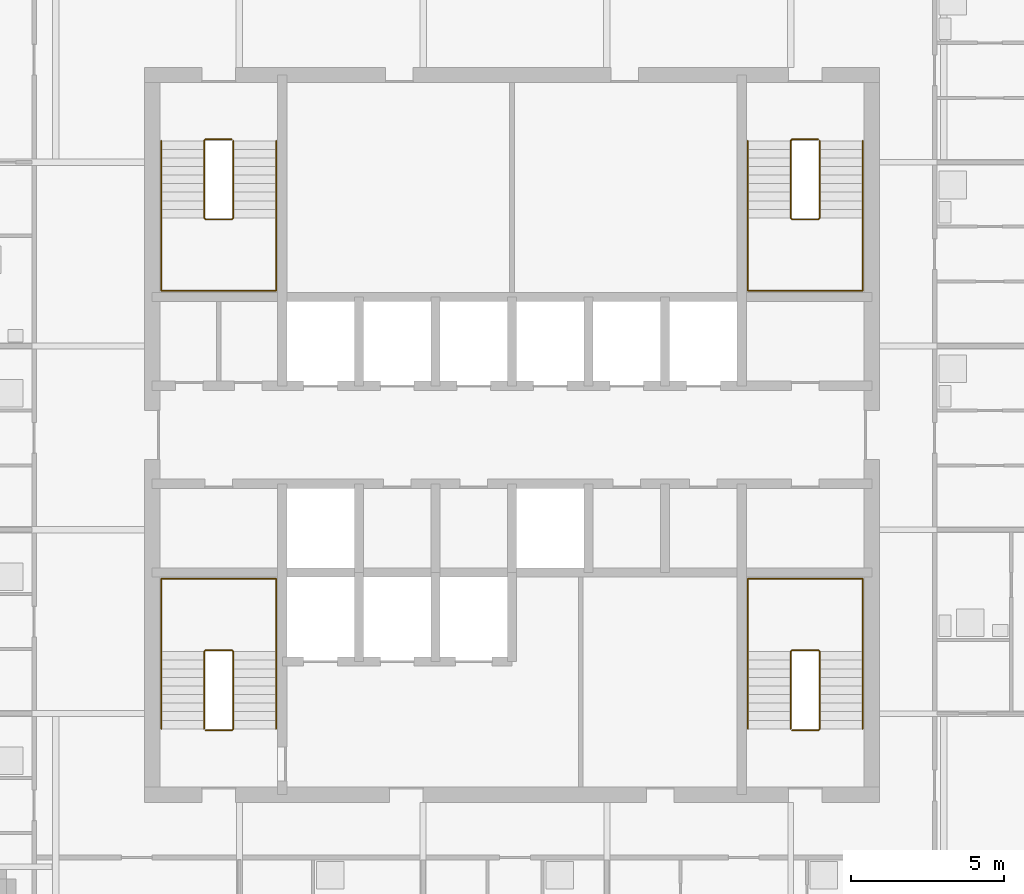
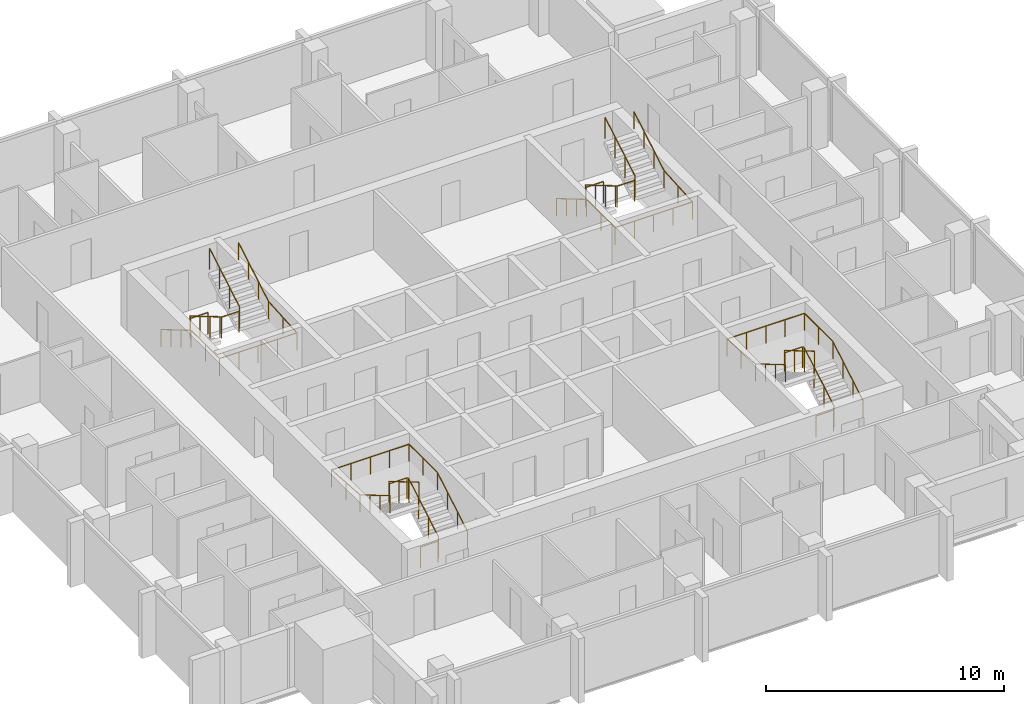
# One storey, part 8 of 9: 8 railings.
"""IFC4 building model written with IfcOpenShell, lengths in metres."""

from ifc_helpers import new_model, si_unit, direction, frame, origin, origin_2d, place, context, subcontext, project, spatial, circle, extrude, material, type_object, element, save


model = new_model("IFC4")

# Units and contexts
model_context = context("Model", 3, precision=1e-05, world=origin(), true_north=direction((0.0, 1.0)))
body_context = subcontext(model_context, "Body", "Model", "MODEL_VIEW")
ifc_project = project(units=[si_unit("LENGTHUNIT", "METRE"), si_unit("AREAUNIT", "SQUARE_METRE"), si_unit("VOLUMEUNIT", "CUBIC_METRE"), si_unit("PLANEANGLEUNIT", "RADIAN"), si_unit("MASSUNIT", "GRAM", prefix="KILO")], contexts=[model_context])

# Site, building, storey
site_placement = place(None, origin())
site = spatial("IfcSite", under=ifc_project, at=site_placement, CompositionType="ELEMENT")
building_placement = place(site_placement, origin())
building = spatial("IfcBuilding", under=site, at=building_placement, Name="Amberfall Residences", CompositionType="ELEMENT")
storey_placement = place(building_placement, frame((0.0, 0.0, 242.199951171875)))
storey = spatial("IfcBuildingStorey", under=building, at=storey_placement, Name="L64", CompositionType="ELEMENT", Elevation=242.199951171875)

# Railings
ifc_material = material(Name="Stainless steel 316", Category="steel")
railing_type_1 = type_object("IfcRailingType", Name="Stair guard 1100", PredefinedType="GUARDRAIL", material=ifc_material)
railing_1_placement = place(storey_placement, frame((64.5, 35.85009765625, 0.0)))
element("IfcRailing", 1, at=railing_1_placement, inside=storey, type_object=railing_type_1, Name="L64 stair 1 guard", PredefinedType="GUARDRAIL", context=body_context, shape_type="SweptSolid", body=[
    extrude(circle(Radius=0.02392578125, at=origin_2d()), frame((0.0, 0.0, 1.076171875), z_axis=(1.0, 0.0, 0.0), x_axis=(0.0, 1.0, 0.0)), (0.0, 0.0, 1.0), 0.85009765625),
    extrude(circle(Radius=0.02392578125, at=origin_2d()), frame((0.85009765625, 0.0, 1.076171875), z_axis=(0.27755538755, 0.27755538755, 0.919742362667), x_axis=(-0.707106781187, 0.707106781187, 0.0)), (0.0, 0.0, 1.0), 0.179443359375),
    extrude(circle(Radius=0.02392578125, at=origin_2d()), frame((0.89990234375, 0.0498046875, 1.2412109375), z_axis=(0.0, 0.86152411907, 0.507716645641), x_axis=(-1.0, 0.0, 0.0)), (0.0, 0.0, 1.0), 2.925048828125),
    extrude(circle(Radius=0.02392578125, at=origin_2d()), frame((0.89990234375, 2.56982421875, 2.72607421875), z_axis=(-0.705375805398, 0.708833529934, 0.0), x_axis=(-0.708833529934, -0.705375805398, 0.0)), (0.0, 0.0, 1.0), 0.070556640625),
    extrude(circle(Radius=0.02392578125, at=origin_2d()), frame((0.85009765625, 2.619873046875, 2.72607421875), z_axis=(-1.0, 0.0, 0.0), x_axis=(0.0, -1.0, 0.0)), (0.0, 0.0, 1.0), 0.85009765625),
    extrude(circle(Radius=0.02392578125, at=origin_2d()), frame((0.0, 2.619873046875, 2.72607421875), z_axis=(-0.279053652268, -0.279053652268, 0.918835196492), x_axis=(0.707106781187, -0.707106781187, 0.0)), (0.0, 0.0, 1.0), 0.179443359375),
    extrude(circle(Radius=0.02392578125, at=origin_2d()), frame((-0.050048828125, 2.56982421875, 2.89111328125), z_axis=(0.0, -0.86152411907, 0.507716645641), x_axis=(1.0, 0.0, 0.0)), (0.0, 0.0, 1.0), 2.925048828125),
    extrude(circle(Radius=0.02099609375, at=origin_2d()), origin(), (0.0, 0.0, 1.0), 1.052001953125),
    extrude(circle(Radius=0.02099609375, at=origin_2d()), frame((0.85009765625, 0.0, 0.0)), (0.0, 0.0, 1.0), 1.052001953125),
    extrude(circle(Radius=0.02099609375, at=origin_2d()), frame((0.89990234375, 0.0498046875, 0.1650390625)), (0.0, 0.0, 1.0), 1.052001953125),
    extrude(circle(Radius=0.02099609375, at=origin_2d()), frame((0.89990234375, 0.889892578125, 0.66015625)), (0.0, 0.0, 1.0), 1.052001953125),
    extrude(circle(Radius=0.02099609375, at=origin_2d()), frame((0.89990234375, 1.729736328125, 1.155029296875)), (0.0, 0.0, 1.0), 1.052001953125),
    extrude(circle(Radius=0.02099609375, at=origin_2d()), frame((0.89990234375, 2.56982421875, 1.650146484375)), (0.0, 0.0, 1.0), 1.052001953125),
    extrude(circle(Radius=0.02099609375, at=origin_2d()), frame((0.85009765625, 2.619873046875, 1.650146484375)), (0.0, 0.0, 1.0), 1.052001953125),
    extrude(circle(Radius=0.02099609375, at=origin_2d()), frame((0.0, 2.619873046875, 1.650146484375)), (0.0, 0.0, 1.0), 1.052001953125),
    extrude(circle(Radius=0.02099609375, at=origin_2d()), frame((-0.050048828125, 2.56982421875, 1.81494140625)), (0.0, 0.0, 1.0), 1.052001953125),
    extrude(circle(Radius=0.02099609375, at=origin_2d()), frame((-0.050048828125, 1.729736328125, 2.31005859375)), (0.0, 0.0, 1.0), 1.052001953125),
    extrude(circle(Radius=0.02099609375, at=origin_2d()), frame((-0.050048828125, 0.889892578125, 2.804931640625)), (0.0, 0.0, 1.0), 1.052001953125),
    extrude(circle(Radius=0.02099609375, at=origin_2d()), frame((-0.050048828125, 0.0498046875, 3.300048828125)), (0.0, 0.0, 1.0), 1.052001953125),
])
railing_2_placement = place(storey_placement, frame((83.64990234375, 35.85009765625, 0.0)))
element("IfcRailing", 2, at=railing_2_placement, inside=storey, type_object=railing_type_1, Name="L64 stair 2 guard", PredefinedType="GUARDRAIL", context=body_context, shape_type="SweptSolid", body=[
    extrude(circle(Radius=0.02392578125, at=origin_2d()), frame((0.0, 0.0, 1.076171875), z_axis=(1.0, 0.0, 0.0), x_axis=(0.0, 1.0, 0.0)), (0.0, 0.0, 1.0), 0.85009765625),
    extrude(circle(Radius=0.02392578125, at=origin_2d()), frame((0.85009765625, 0.0, 1.076171875), z_axis=(0.278810427259, 0.277450376394, 0.919394384522), x_axis=(-0.705375805398, 0.708833529934, 0.0)), (0.0, 0.0, 1.0), 0.179443359375),
    extrude(circle(Radius=0.02392578125, at=origin_2d()), frame((0.900146484375, 0.0498046875, 1.2412109375), z_axis=(0.0, 0.86152411907, 0.507716645641), x_axis=(-1.0, 0.0, 0.0)), (0.0, 0.0, 1.0), 2.925048828125),
    extrude(circle(Radius=0.02392578125, at=origin_2d()), frame((0.900146484375, 2.56982421875, 2.72607421875), z_axis=(-0.707106781187, 0.707106781187, 0.0), x_axis=(-0.707106781187, -0.707106781187, 0.0)), (0.0, 0.0, 1.0), 0.07080078125),
    extrude(circle(Radius=0.02392578125, at=origin_2d()), frame((0.85009765625, 2.619873046875, 2.72607421875), z_axis=(-1.0, 0.0, 0.0), x_axis=(0.0, -1.0, 0.0)), (0.0, 0.0, 1.0), 0.85009765625),
    extrude(circle(Radius=0.02392578125, at=origin_2d()), frame((0.0, 2.619873046875, 2.72607421875), z_axis=(-0.277797701265, -0.279159454702, 0.919183570361), x_axis=(0.708833529934, -0.705375805398, 0.0)), (0.0, 0.0, 1.0), 0.17919921875),
    extrude(circle(Radius=0.02392578125, at=origin_2d()), frame((-0.0498046875, 2.56982421875, 2.89111328125), z_axis=(0.0, -0.86152411907, 0.507716645641), x_axis=(1.0, 0.0, 0.0)), (0.0, 0.0, 1.0), 2.925048828125),
    extrude(circle(Radius=0.02099609375, at=origin_2d()), origin(), (0.0, 0.0, 1.0), 1.052001953125),
    extrude(circle(Radius=0.02099609375, at=origin_2d()), frame((0.85009765625, 0.0, 0.0)), (0.0, 0.0, 1.0), 1.052001953125),
    extrude(circle(Radius=0.02099609375, at=origin_2d()), frame((0.900146484375, 0.0498046875, 0.1650390625)), (0.0, 0.0, 1.0), 1.052001953125),
    extrude(circle(Radius=0.02099609375, at=origin_2d()), frame((0.900146484375, 0.889892578125, 0.66015625)), (0.0, 0.0, 1.0), 1.052001953125),
    extrude(circle(Radius=0.02099609375, at=origin_2d()), frame((0.900146484375, 1.729736328125, 1.155029296875)), (0.0, 0.0, 1.0), 1.052001953125),
    extrude(circle(Radius=0.02099609375, at=origin_2d()), frame((0.900146484375, 2.56982421875, 1.650146484375)), (0.0, 0.0, 1.0), 1.052001953125),
    extrude(circle(Radius=0.02099609375, at=origin_2d()), frame((0.85009765625, 2.619873046875, 1.650146484375)), (0.0, 0.0, 1.0), 1.052001953125),
    extrude(circle(Radius=0.02099609375, at=origin_2d()), frame((0.0, 2.619873046875, 1.650146484375)), (0.0, 0.0, 1.0), 1.052001953125),
    extrude(circle(Radius=0.02099609375, at=origin_2d()), frame((-0.0498046875, 2.56982421875, 1.81494140625)), (0.0, 0.0, 1.0), 1.052001953125),
    extrude(circle(Radius=0.02099609375, at=origin_2d()), frame((-0.0498046875, 1.729736328125, 2.31005859375)), (0.0, 0.0, 1.0), 1.052001953125),
    extrude(circle(Radius=0.02099609375, at=origin_2d()), frame((-0.0498046875, 0.889892578125, 2.804931640625)), (0.0, 0.0, 1.0), 1.052001953125),
    extrude(circle(Radius=0.02099609375, at=origin_2d()), frame((-0.0498046875, 0.0498046875, 3.300048828125)), (0.0, 0.0, 1.0), 1.052001953125),
])
railing_3_placement = place(storey_placement, frame((84.5, 55.14990234375, 0.0)))
element("IfcRailing", 3, at=railing_3_placement, inside=storey, type_object=railing_type_1, Name="L64 stair 3 guard", PredefinedType="GUARDRAIL", context=body_context, shape_type="SweptSolid", body=[
    extrude(circle(Radius=0.02392578125, at=origin_2d()), frame((0.0, 0.0, 1.076171875), z_axis=(-1.0, 0.0, 0.0), x_axis=(0.0, -1.0, 0.0)), (0.0, 0.0, 1.0), 0.85009765625),
    extrude(circle(Radius=0.02392578125, at=origin_2d()), frame((-0.85009765625, 0.0, 1.076171875), z_axis=(-0.27755538755, -0.27755538755, 0.919742362667), x_axis=(0.707106781187, -0.707106781187, 0.0)), (0.0, 0.0, 1.0), 0.179443359375),
    extrude(circle(Radius=0.02392578125, at=origin_2d()), frame((-0.89990234375, -0.0498046875, 1.2412109375), z_axis=(0.0, -0.86152411907, 0.507716645641), x_axis=(1.0, 0.0, 0.0)), (0.0, 0.0, 1.0), 2.925048828125),
    extrude(circle(Radius=0.02392578125, at=origin_2d()), frame((-0.89990234375, -2.56982421875, 2.72607421875), z_axis=(0.705375805398, -0.708833529934, 0.0), x_axis=(0.708833529934, 0.705375805398, 0.0)), (0.0, 0.0, 1.0), 0.070556640625),
    extrude(circle(Radius=0.02392578125, at=origin_2d()), frame((-0.85009765625, -2.619873046875, 2.72607421875), z_axis=(1.0, 0.0, 0.0), x_axis=(0.0, 1.0, 0.0)), (0.0, 0.0, 1.0), 0.85009765625),
    extrude(circle(Radius=0.02392578125, at=origin_2d()), frame((0.0, -2.619873046875, 2.72607421875), z_axis=(0.279053652268, 0.279053652268, 0.918835196492), x_axis=(-0.707106781187, 0.707106781187, 0.0)), (0.0, 0.0, 1.0), 0.179443359375),
    extrude(circle(Radius=0.02392578125, at=origin_2d()), frame((0.050048828125, -2.56982421875, 2.89111328125), z_axis=(0.0, 0.86152411907, 0.507716645641), x_axis=(-1.0, 0.0, 0.0)), (0.0, 0.0, 1.0), 2.925048828125),
    extrude(circle(Radius=0.02099609375, at=origin_2d()), origin(), (0.0, 0.0, 1.0), 1.052001953125),
    extrude(circle(Radius=0.02099609375, at=origin_2d()), frame((-0.85009765625, 0.0, 0.0)), (0.0, 0.0, 1.0), 1.052001953125),
    extrude(circle(Radius=0.02099609375, at=origin_2d()), frame((-0.89990234375, -0.0498046875, 0.1650390625)), (0.0, 0.0, 1.0), 1.052001953125),
    extrude(circle(Radius=0.02099609375, at=origin_2d()), frame((-0.89990234375, -0.889892578125, 0.66015625)), (0.0, 0.0, 1.0), 1.052001953125),
    extrude(circle(Radius=0.02099609375, at=origin_2d()), frame((-0.89990234375, -1.729736328125, 1.155029296875)), (0.0, 0.0, 1.0), 1.052001953125),
    extrude(circle(Radius=0.02099609375, at=origin_2d()), frame((-0.89990234375, -2.56982421875, 1.650146484375)), (0.0, 0.0, 1.0), 1.052001953125),
    extrude(circle(Radius=0.02099609375, at=origin_2d()), frame((-0.85009765625, -2.619873046875, 1.650146484375)), (0.0, 0.0, 1.0), 1.052001953125),
    extrude(circle(Radius=0.02099609375, at=origin_2d()), frame((0.0, -2.619873046875, 1.650146484375)), (0.0, 0.0, 1.0), 1.052001953125),
    extrude(circle(Radius=0.02099609375, at=origin_2d()), frame((0.050048828125, -2.56982421875, 1.81494140625)), (0.0, 0.0, 1.0), 1.052001953125),
    extrude(circle(Radius=0.02099609375, at=origin_2d()), frame((0.050048828125, -1.729736328125, 2.31005859375)), (0.0, 0.0, 1.0), 1.052001953125),
    extrude(circle(Radius=0.02099609375, at=origin_2d()), frame((0.050048828125, -0.889892578125, 2.804931640625)), (0.0, 0.0, 1.0), 1.052001953125),
    extrude(circle(Radius=0.02099609375, at=origin_2d()), frame((0.050048828125, -0.0498046875, 3.300048828125)), (0.0, 0.0, 1.0), 1.052001953125),
])
railing_4_placement = place(storey_placement, frame((65.35009765625, 55.14990234375, 0.0)))
element("IfcRailing", 4, at=railing_4_placement, inside=storey, type_object=railing_type_1, Name="L64 stair 4 guard", PredefinedType="GUARDRAIL", context=body_context, shape_type="SweptSolid", body=[
    extrude(circle(Radius=0.02392578125, at=origin_2d()), frame((0.0, 0.0, 1.076171875), z_axis=(-1.0, 0.0, 0.0), x_axis=(0.0, -1.0, 0.0)), (0.0, 0.0, 1.0), 0.85009765625),
    extrude(circle(Radius=0.02392578125, at=origin_2d()), frame((-0.85009765625, 0.0, 1.076171875), z_axis=(-0.278810427259, -0.277450376394, 0.919394384522), x_axis=(0.705375805398, -0.708833529934, 0.0)), (0.0, 0.0, 1.0), 0.179443359375),
    extrude(circle(Radius=0.02392578125, at=origin_2d()), frame((-0.900146484375, -0.0498046875, 1.2412109375), z_axis=(0.0, -0.86152411907, 0.507716645641), x_axis=(1.0, 0.0, 0.0)), (0.0, 0.0, 1.0), 2.925048828125),
    extrude(circle(Radius=0.02392578125, at=origin_2d()), frame((-0.900146484375, -2.56982421875, 2.72607421875), z_axis=(0.707106781187, -0.707106781187, 0.0), x_axis=(0.707106781187, 0.707106781187, 0.0)), (0.0, 0.0, 1.0), 0.07080078125),
    extrude(circle(Radius=0.02392578125, at=origin_2d()), frame((-0.85009765625, -2.619873046875, 2.72607421875), z_axis=(1.0, 0.0, 0.0), x_axis=(0.0, 1.0, 0.0)), (0.0, 0.0, 1.0), 0.85009765625),
    extrude(circle(Radius=0.02392578125, at=origin_2d()), frame((0.0, -2.619873046875, 2.72607421875), z_axis=(0.277797701265, 0.279159454702, 0.919183570361), x_axis=(-0.708833529934, 0.705375805398, 0.0)), (0.0, 0.0, 1.0), 0.17919921875),
    extrude(circle(Radius=0.02392578125, at=origin_2d()), frame((0.0498046875, -2.56982421875, 2.89111328125), z_axis=(0.0, 0.86152411907, 0.507716645641), x_axis=(-1.0, 0.0, 0.0)), (0.0, 0.0, 1.0), 2.925048828125),
    extrude(circle(Radius=0.02099609375, at=origin_2d()), origin(), (0.0, 0.0, 1.0), 1.052001953125),
    extrude(circle(Radius=0.02099609375, at=origin_2d()), frame((-0.85009765625, 0.0, 0.0)), (0.0, 0.0, 1.0), 1.052001953125),
    extrude(circle(Radius=0.02099609375, at=origin_2d()), frame((-0.900146484375, -0.0498046875, 0.1650390625)), (0.0, 0.0, 1.0), 1.052001953125),
    extrude(circle(Radius=0.02099609375, at=origin_2d()), frame((-0.900146484375, -0.889892578125, 0.66015625)), (0.0, 0.0, 1.0), 1.052001953125),
    extrude(circle(Radius=0.02099609375, at=origin_2d()), frame((-0.900146484375, -1.729736328125, 1.155029296875)), (0.0, 0.0, 1.0), 1.052001953125),
    extrude(circle(Radius=0.02099609375, at=origin_2d()), frame((-0.900146484375, -2.56982421875, 1.650146484375)), (0.0, 0.0, 1.0), 1.052001953125),
    extrude(circle(Radius=0.02099609375, at=origin_2d()), frame((-0.85009765625, -2.619873046875, 1.650146484375)), (0.0, 0.0, 1.0), 1.052001953125),
    extrude(circle(Radius=0.02099609375, at=origin_2d()), frame((0.0, -2.619873046875, 1.650146484375)), (0.0, 0.0, 1.0), 1.052001953125),
    extrude(circle(Radius=0.02099609375, at=origin_2d()), frame((0.0498046875, -2.56982421875, 1.81494140625)), (0.0, 0.0, 1.0), 1.052001953125),
    extrude(circle(Radius=0.02099609375, at=origin_2d()), frame((0.0498046875, -1.729736328125, 2.31005859375)), (0.0, 0.0, 1.0), 1.052001953125),
    extrude(circle(Radius=0.02099609375, at=origin_2d()), frame((0.0498046875, -0.889892578125, 2.804931640625)), (0.0, 0.0, 1.0), 1.052001953125),
    extrude(circle(Radius=0.02099609375, at=origin_2d()), frame((0.0498046875, -0.0498046875, 3.300048828125)), (0.0, 0.0, 1.0), 1.052001953125),
])
railing_type_2 = type_object("IfcRailingType", Name="Stair handrail 900", PredefinedType="HANDRAIL", material=ifc_material)
railing_5_placement = place(storey_placement, frame((66.800048828125, 35.89990234375, 0.1650390625)))
element("IfcRailing", 5, at=railing_5_placement, inside=storey, type_object=railing_type_2, Name="L64 stair 1 handrail", PredefinedType="HANDRAIL", context=body_context, shape_type="SweptSolid", body=[
    extrude(circle(Radius=0.02392578125, at=origin_2d()), frame((0.0, 0.0, 0.8759765625), z_axis=(0.0, 0.86152411907, 0.507716645641), x_axis=(-1.0, 0.0, 0.0)), (0.0, 0.0, 1.0), 2.925048828125),
    extrude(circle(Radius=0.02392578125, at=origin_2d()), frame((0.0, 2.52001953125, 2.36083984375), z_axis=(0.0, 1.0, 0.0), x_axis=(-1.0, 0.0, 0.0)), (0.0, 0.0, 1.0), 2.380126953125),
    extrude(circle(Radius=0.02392578125, at=origin_2d()), frame((0.0, 4.900146484375, 2.36083984375), z_axis=(-1.0, 0.0, 0.0), x_axis=(0.0, -1.0, 0.0)), (0.0, 0.0, 1.0), 3.75),
    extrude(circle(Radius=0.02392578125, at=origin_2d()), frame((-3.75, 4.900146484375, 2.36083984375), z_axis=(0.0, -0.997611642348, 0.069072505753), x_axis=(1.0, 0.0, 0.0)), (0.0, 0.0, 1.0), 2.3857421875),
    extrude(circle(Radius=0.02392578125, at=origin_2d()), frame((-3.75, 2.52001953125, 2.52587890625), z_axis=(0.0, -0.86152411907, 0.507716645641), x_axis=(1.0, 0.0, 0.0)), (0.0, 0.0, 1.0), 2.925048828125),
    extrude(circle(Radius=0.02099609375, at=origin_2d()), origin(), (0.0, 0.0, 1.0), 0.851806640625),
    extrude(circle(Radius=0.02099609375, at=origin_2d()), frame((0.0, 0.840087890625, 0.4951171875)), (0.0, 0.0, 1.0), 0.851806640625),
    extrude(circle(Radius=0.02099609375, at=origin_2d()), frame((0.0, 1.679931640625, 0.989990234375)), (0.0, 0.0, 1.0), 0.851806640625),
    extrude(circle(Radius=0.02099609375, at=origin_2d()), frame((0.0, 2.52001953125, 1.485107421875)), (0.0, 0.0, 1.0), 0.851806640625),
    extrude(circle(Radius=0.02099609375, at=origin_2d()), frame((0.0, 3.7099609375, 1.485107421875)), (0.0, 0.0, 1.0), 0.851806640625),
    extrude(circle(Radius=0.02099609375, at=origin_2d()), frame((0.0, 4.900146484375, 1.485107421875)), (0.0, 0.0, 1.0), 0.851806640625),
    extrude(circle(Radius=0.02099609375, at=origin_2d()), frame((-0.9375, 4.900146484375, 1.485107421875)), (0.0, 0.0, 1.0), 0.851806640625),
    extrude(circle(Radius=0.02099609375, at=origin_2d()), frame((-1.875, 4.900146484375, 1.485107421875)), (0.0, 0.0, 1.0), 0.851806640625),
    extrude(circle(Radius=0.02099609375, at=origin_2d()), frame((-2.8125, 4.900146484375, 1.485107421875)), (0.0, 0.0, 1.0), 0.851806640625),
    extrude(circle(Radius=0.02099609375, at=origin_2d()), frame((-3.75, 4.900146484375, 1.485107421875)), (0.0, 0.0, 1.0), 0.851806640625),
    extrude(circle(Radius=0.02099609375, at=origin_2d()), frame((-3.75, 3.7099609375, 1.5673828125)), (0.0, 0.0, 1.0), 0.851806640625),
    extrude(circle(Radius=0.02099609375, at=origin_2d()), frame((-3.75, 2.52001953125, 1.64990234375)), (0.0, 0.0, 1.0), 0.851806640625),
    extrude(circle(Radius=0.02099609375, at=origin_2d()), frame((-3.75, 1.679931640625, 2.14501953125)), (0.0, 0.0, 1.0), 0.851806640625),
    extrude(circle(Radius=0.02099609375, at=origin_2d()), frame((-3.75, 0.840087890625, 2.639892578125)), (0.0, 0.0, 1.0), 0.851806640625),
    extrude(circle(Radius=0.02099609375, at=origin_2d()), frame((-3.75, 0.0, 3.135009765625)), (0.0, 0.0, 1.0), 0.851806640625),
])
railing_6_placement = place(storey_placement, frame((85.949951171875, 35.89990234375, 0.1650390625)))
element("IfcRailing", 6, at=railing_6_placement, inside=storey, type_object=railing_type_2, Name="L64 stair 2 handrail", PredefinedType="HANDRAIL", context=body_context, shape_type="SweptSolid", body=[
    extrude(circle(Radius=0.02392578125, at=origin_2d()), frame((0.0, 0.0, 0.8759765625), z_axis=(0.0, 0.86152411907, 0.507716645641), x_axis=(-1.0, 0.0, 0.0)), (0.0, 0.0, 1.0), 2.925048828125),
    extrude(circle(Radius=0.02392578125, at=origin_2d()), frame((0.0, 2.52001953125, 2.36083984375), z_axis=(0.0, 1.0, 0.0), x_axis=(-1.0, 0.0, 0.0)), (0.0, 0.0, 1.0), 2.380126953125),
    extrude(circle(Radius=0.02392578125, at=origin_2d()), frame((0.0, 4.900146484375, 2.36083984375), z_axis=(-1.0, 0.0, 0.0), x_axis=(0.0, -1.0, 0.0)), (0.0, 0.0, 1.0), 3.75),
    extrude(circle(Radius=0.02392578125, at=origin_2d()), frame((-3.75, 4.900146484375, 2.36083984375), z_axis=(0.0, -0.997611642348, 0.069072505753), x_axis=(1.0, 0.0, 0.0)), (0.0, 0.0, 1.0), 2.3857421875),
    extrude(circle(Radius=0.02392578125, at=origin_2d()), frame((-3.75, 2.52001953125, 2.52587890625), z_axis=(0.0, -0.86152411907, 0.507716645641), x_axis=(1.0, 0.0, 0.0)), (0.0, 0.0, 1.0), 2.925048828125),
    extrude(circle(Radius=0.02099609375, at=origin_2d()), origin(), (0.0, 0.0, 1.0), 0.851806640625),
    extrude(circle(Radius=0.02099609375, at=origin_2d()), frame((0.0, 0.840087890625, 0.4951171875)), (0.0, 0.0, 1.0), 0.851806640625),
    extrude(circle(Radius=0.02099609375, at=origin_2d()), frame((0.0, 1.679931640625, 0.989990234375)), (0.0, 0.0, 1.0), 0.851806640625),
    extrude(circle(Radius=0.02099609375, at=origin_2d()), frame((0.0, 2.52001953125, 1.485107421875)), (0.0, 0.0, 1.0), 0.851806640625),
    extrude(circle(Radius=0.02099609375, at=origin_2d()), frame((0.0, 3.7099609375, 1.485107421875)), (0.0, 0.0, 1.0), 0.851806640625),
    extrude(circle(Radius=0.02099609375, at=origin_2d()), frame((0.0, 4.900146484375, 1.485107421875)), (0.0, 0.0, 1.0), 0.851806640625),
    extrude(circle(Radius=0.02099609375, at=origin_2d()), frame((-0.9375, 4.900146484375, 1.485107421875)), (0.0, 0.0, 1.0), 0.851806640625),
    extrude(circle(Radius=0.02099609375, at=origin_2d()), frame((-1.875, 4.900146484375, 1.485107421875)), (0.0, 0.0, 1.0), 0.851806640625),
    extrude(circle(Radius=0.02099609375, at=origin_2d()), frame((-2.8125, 4.900146484375, 1.485107421875)), (0.0, 0.0, 1.0), 0.851806640625),
    extrude(circle(Radius=0.02099609375, at=origin_2d()), frame((-3.75, 4.900146484375, 1.485107421875)), (0.0, 0.0, 1.0), 0.851806640625),
    extrude(circle(Radius=0.02099609375, at=origin_2d()), frame((-3.75, 3.7099609375, 1.5673828125)), (0.0, 0.0, 1.0), 0.851806640625),
    extrude(circle(Radius=0.02099609375, at=origin_2d()), frame((-3.75, 2.52001953125, 1.64990234375)), (0.0, 0.0, 1.0), 0.851806640625),
    extrude(circle(Radius=0.02099609375, at=origin_2d()), frame((-3.75, 1.679931640625, 2.14501953125)), (0.0, 0.0, 1.0), 0.851806640625),
    extrude(circle(Radius=0.02099609375, at=origin_2d()), frame((-3.75, 0.840087890625, 2.639892578125)), (0.0, 0.0, 1.0), 0.851806640625),
    extrude(circle(Radius=0.02099609375, at=origin_2d()), frame((-3.75, 0.0, 3.135009765625)), (0.0, 0.0, 1.0), 0.851806640625),
])
railing_7_placement = place(storey_placement, frame((82.199951171875, 55.10009765625, 0.1650390625)))
element("IfcRailing", 7, at=railing_7_placement, inside=storey, type_object=railing_type_2, Name="L64 stair 3 handrail", PredefinedType="HANDRAIL", context=body_context, shape_type="SweptSolid", body=[
    extrude(circle(Radius=0.02392578125, at=origin_2d()), frame((0.0, 0.0, 0.8759765625), z_axis=(0.0, -0.86152411907, 0.507716645641), x_axis=(1.0, 0.0, 0.0)), (0.0, 0.0, 1.0), 2.925048828125),
    extrude(circle(Radius=0.02392578125, at=origin_2d()), frame((0.0, -2.52001953125, 2.36083984375), z_axis=(0.0, -1.0, 0.0), x_axis=(1.0, 0.0, 0.0)), (0.0, 0.0, 1.0), 2.380126953125),
    extrude(circle(Radius=0.02392578125, at=origin_2d()), frame((0.0, -4.900146484375, 2.36083984375), z_axis=(1.0, 0.0, 0.0), x_axis=(0.0, 1.0, 0.0)), (0.0, 0.0, 1.0), 3.75),
    extrude(circle(Radius=0.02392578125, at=origin_2d()), frame((3.75, -4.900146484375, 2.36083984375), z_axis=(0.0, 0.997611642348, 0.069072505753), x_axis=(-1.0, 0.0, 0.0)), (0.0, 0.0, 1.0), 2.3857421875),
    extrude(circle(Radius=0.02392578125, at=origin_2d()), frame((3.75, -2.52001953125, 2.52587890625), z_axis=(0.0, 0.86152411907, 0.507716645641), x_axis=(-1.0, 0.0, 0.0)), (0.0, 0.0, 1.0), 2.925048828125),
    extrude(circle(Radius=0.02099609375, at=origin_2d()), origin(), (0.0, 0.0, 1.0), 0.851806640625),
    extrude(circle(Radius=0.02099609375, at=origin_2d()), frame((0.0, -0.840087890625, 0.4951171875)), (0.0, 0.0, 1.0), 0.851806640625),
    extrude(circle(Radius=0.02099609375, at=origin_2d()), frame((0.0, -1.679931640625, 0.989990234375)), (0.0, 0.0, 1.0), 0.851806640625),
    extrude(circle(Radius=0.02099609375, at=origin_2d()), frame((0.0, -2.52001953125, 1.485107421875)), (0.0, 0.0, 1.0), 0.851806640625),
    extrude(circle(Radius=0.02099609375, at=origin_2d()), frame((0.0, -3.7099609375, 1.485107421875)), (0.0, 0.0, 1.0), 0.851806640625),
    extrude(circle(Radius=0.02099609375, at=origin_2d()), frame((0.0, -4.900146484375, 1.485107421875)), (0.0, 0.0, 1.0), 0.851806640625),
    extrude(circle(Radius=0.02099609375, at=origin_2d()), frame((0.9375, -4.900146484375, 1.485107421875)), (0.0, 0.0, 1.0), 0.851806640625),
    extrude(circle(Radius=0.02099609375, at=origin_2d()), frame((1.875, -4.900146484375, 1.485107421875)), (0.0, 0.0, 1.0), 0.851806640625),
    extrude(circle(Radius=0.02099609375, at=origin_2d()), frame((2.8125, -4.900146484375, 1.485107421875)), (0.0, 0.0, 1.0), 0.851806640625),
    extrude(circle(Radius=0.02099609375, at=origin_2d()), frame((3.75, -4.900146484375, 1.485107421875)), (0.0, 0.0, 1.0), 0.851806640625),
    extrude(circle(Radius=0.02099609375, at=origin_2d()), frame((3.75, -3.7099609375, 1.5673828125)), (0.0, 0.0, 1.0), 0.851806640625),
    extrude(circle(Radius=0.02099609375, at=origin_2d()), frame((3.75, -2.52001953125, 1.64990234375)), (0.0, 0.0, 1.0), 0.851806640625),
    extrude(circle(Radius=0.02099609375, at=origin_2d()), frame((3.75, -1.679931640625, 2.14501953125)), (0.0, 0.0, 1.0), 0.851806640625),
    extrude(circle(Radius=0.02099609375, at=origin_2d()), frame((3.75, -0.840087890625, 2.639892578125)), (0.0, 0.0, 1.0), 0.851806640625),
    extrude(circle(Radius=0.02099609375, at=origin_2d()), frame((3.75, 0.0, 3.135009765625)), (0.0, 0.0, 1.0), 0.851806640625),
])
railing_8_placement = place(storey_placement, frame((63.050048828125, 55.10009765625, 0.1650390625)))
element("IfcRailing", 8, at=railing_8_placement, inside=storey, type_object=railing_type_2, Name="L64 stair 4 handrail", PredefinedType="HANDRAIL", context=body_context, shape_type="SweptSolid", body=[
    extrude(circle(Radius=0.02392578125, at=origin_2d()), frame((0.0, 0.0, 0.8759765625), z_axis=(0.0, -0.86152411907, 0.507716645641), x_axis=(1.0, 0.0, 0.0)), (0.0, 0.0, 1.0), 2.925048828125),
    extrude(circle(Radius=0.02392578125, at=origin_2d()), frame((0.0, -2.52001953125, 2.36083984375), z_axis=(0.0, -1.0, 0.0), x_axis=(1.0, 0.0, 0.0)), (0.0, 0.0, 1.0), 2.380126953125),
    extrude(circle(Radius=0.02392578125, at=origin_2d()), frame((0.0, -4.900146484375, 2.36083984375), z_axis=(1.0, 0.0, 0.0), x_axis=(0.0, 1.0, 0.0)), (0.0, 0.0, 1.0), 3.75),
    extrude(circle(Radius=0.02392578125, at=origin_2d()), frame((3.75, -4.900146484375, 2.36083984375), z_axis=(0.0, 0.997611642348, 0.069072505753), x_axis=(-1.0, 0.0, 0.0)), (0.0, 0.0, 1.0), 2.3857421875),
    extrude(circle(Radius=0.02392578125, at=origin_2d()), frame((3.75, -2.52001953125, 2.52587890625), z_axis=(0.0, 0.86152411907, 0.507716645641), x_axis=(-1.0, 0.0, 0.0)), (0.0, 0.0, 1.0), 2.925048828125),
    extrude(circle(Radius=0.02099609375, at=origin_2d()), origin(), (0.0, 0.0, 1.0), 0.851806640625),
    extrude(circle(Radius=0.02099609375, at=origin_2d()), frame((0.0, -0.840087890625, 0.4951171875)), (0.0, 0.0, 1.0), 0.851806640625),
    extrude(circle(Radius=0.02099609375, at=origin_2d()), frame((0.0, -1.679931640625, 0.989990234375)), (0.0, 0.0, 1.0), 0.851806640625),
    extrude(circle(Radius=0.02099609375, at=origin_2d()), frame((0.0, -2.52001953125, 1.485107421875)), (0.0, 0.0, 1.0), 0.851806640625),
    extrude(circle(Radius=0.02099609375, at=origin_2d()), frame((0.0, -3.7099609375, 1.485107421875)), (0.0, 0.0, 1.0), 0.851806640625),
    extrude(circle(Radius=0.02099609375, at=origin_2d()), frame((0.0, -4.900146484375, 1.485107421875)), (0.0, 0.0, 1.0), 0.851806640625),
    extrude(circle(Radius=0.02099609375, at=origin_2d()), frame((0.9375, -4.900146484375, 1.485107421875)), (0.0, 0.0, 1.0), 0.851806640625),
    extrude(circle(Radius=0.02099609375, at=origin_2d()), frame((1.875, -4.900146484375, 1.485107421875)), (0.0, 0.0, 1.0), 0.851806640625),
    extrude(circle(Radius=0.02099609375, at=origin_2d()), frame((2.8125, -4.900146484375, 1.485107421875)), (0.0, 0.0, 1.0), 0.851806640625),
    extrude(circle(Radius=0.02099609375, at=origin_2d()), frame((3.75, -4.900146484375, 1.485107421875)), (0.0, 0.0, 1.0), 0.851806640625),
    extrude(circle(Radius=0.02099609375, at=origin_2d()), frame((3.75, -3.7099609375, 1.5673828125)), (0.0, 0.0, 1.0), 0.851806640625),
    extrude(circle(Radius=0.02099609375, at=origin_2d()), frame((3.75, -2.52001953125, 1.64990234375)), (0.0, 0.0, 1.0), 0.851806640625),
    extrude(circle(Radius=0.02099609375, at=origin_2d()), frame((3.75, -1.679931640625, 2.14501953125)), (0.0, 0.0, 1.0), 0.851806640625),
    extrude(circle(Radius=0.02099609375, at=origin_2d()), frame((3.75, -0.840087890625, 2.639892578125)), (0.0, 0.0, 1.0), 0.851806640625),
    extrude(circle(Radius=0.02099609375, at=origin_2d()), frame((3.75, 0.0, 3.135009765625)), (0.0, 0.0, 1.0), 0.851806640625),
])

save(model, "model.ifc")
